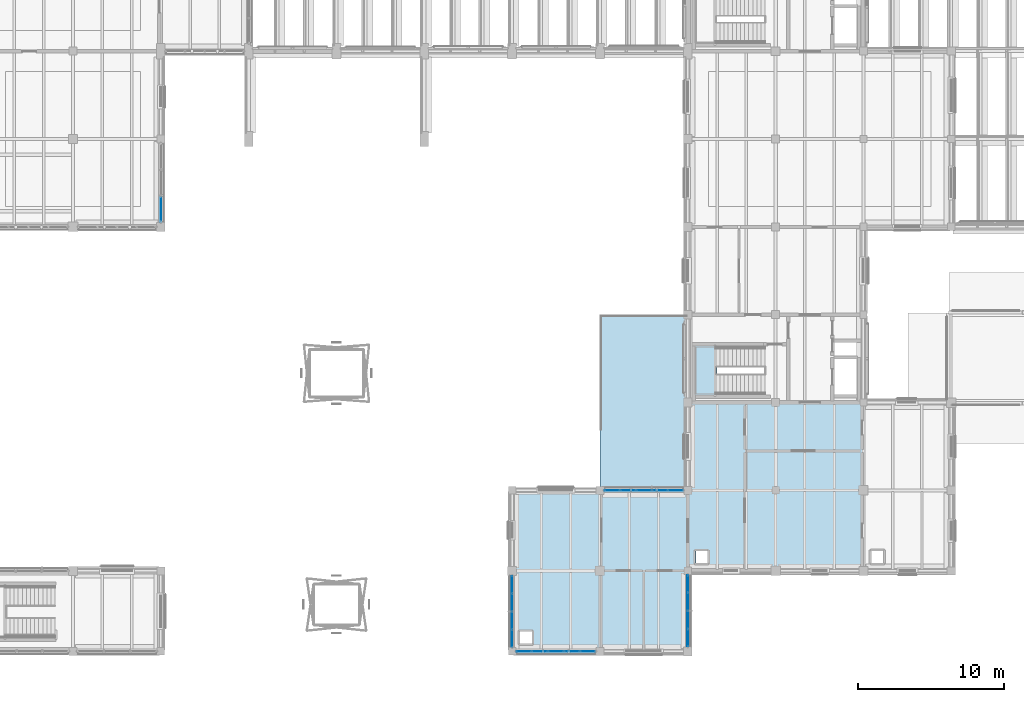
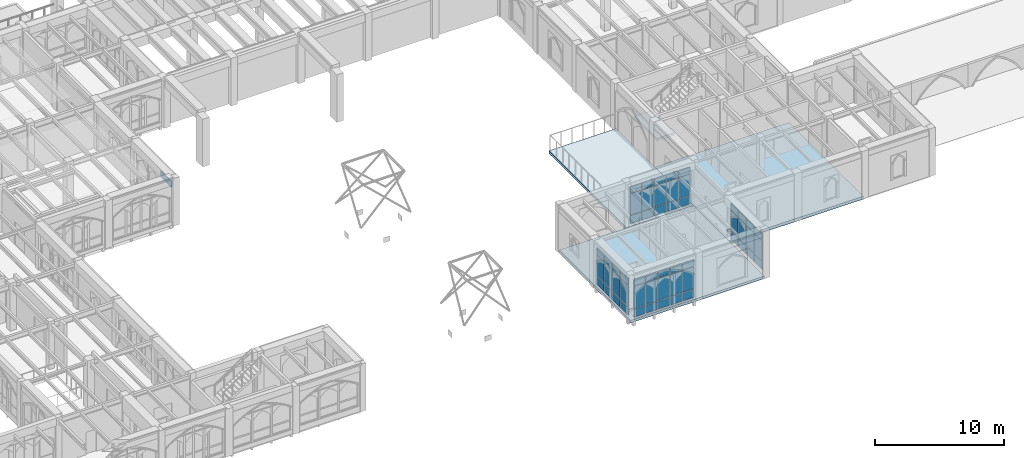
# One storey, part 71 of 127: 55 plates, 4 slabs, 6 elements without a shape of their own.
"""IFC4 building model written with IfcOpenShell, lengths in metres."""

from ifc_helpers import new_model, si_unit, direction, frame, origin, origin_2d, place, context, subcontext, project, spatial, polyline, rectangle, outline, extrude, material, layer, layer_set, type_object, element, aggregate, save


model = new_model("IFC4")

# Units and contexts
model_context = context("Model", 3, precision=1e-05, world=origin(), true_north=direction((0.0, 1.0)))
body_context = subcontext(model_context, "Body", "Model", "MODEL_VIEW")
ifc_project = project(units=[si_unit("LENGTHUNIT", "METRE"), si_unit("AREAUNIT", "SQUARE_METRE"), si_unit("VOLUMEUNIT", "CUBIC_METRE"), si_unit("PLANEANGLEUNIT", "RADIAN"), si_unit("MASSUNIT", "GRAM", prefix="KILO")], contexts=[model_context])

# Site, building, storey
site_placement = place(None, origin())
site = spatial("IfcSite", under=ifc_project, at=site_placement, CompositionType="ELEMENT")
building_placement = place(site_placement, origin())
building = spatial("IfcBuilding", under=site, at=building_placement, Name="Cumevento Cable Car Station", CompositionType="ELEMENT")
storey_placement = place(building_placement, frame((0.0, 0.0, 4.5)))
storey = spatial("IfcBuildingStorey", under=building, at=storey_placement, Name="L02", CompositionType="ELEMENT", Elevation=4.5)

# Slabs
ifc_material_1 = material(Name="Concrete C40/50", Category="concrete")
ifc_layer_1 = layer(ifc_material_1, 0.236083984375)
ifc_layer_set_1 = layer_set([ifc_layer_1], Name="Concrete C40/50")
slab_type_1 = type_object("IfcSlabType", Name="Concrete Deck FS-236 236", PredefinedType="FLOOR", material=ifc_layer_set_1)
slab_1_placement = place(storey_placement, frame((0.0, 0.0, -0.236083984375)))
element("IfcSlab", 1, at=slab_1_placement, inside=storey, type_object=slab_type_1, Name="Floor Slab FS-236 L02 B_V2a.1", PredefinedType="FLOOR", context=body_context, shape_type="SweptSolid", body=[
    extrude(outline(polyline([(106.0, 4.0), (118.0, 4.0), (118.0, 15.0), (106.0, 15.0), (106.0, 4.0)]), holes=[polyline([(106.550048828125, 4.550048828125), (107.35009765625, 4.550048828125), (107.35009765625, 5.35009765625), (106.550048828125, 5.35009765625), (106.550048828125, 4.550048828125)])]), origin(), (0.0, 0.0, 1.0), 0.236083984375),
])
ifc_material_2 = material(Name="Concrete C40/50", Category="concrete")
ifc_layer_2 = layer(ifc_material_2, 0.27197265625)
ifc_layer_set_2 = layer_set([ifc_layer_2], Name="Concrete C40/50")
slab_type_2 = type_object("IfcSlabType", Name="Concrete Deck FS-272 272", PredefinedType="FLOOR", material=ifc_layer_set_2)
slab_2_placement = place(storey_placement, frame((0.0, 0.0, -0.27197265625)))
element("IfcSlab", 2, at=slab_2_placement, inside=storey, type_object=slab_type_2, Name="Floor Slab FS-272 L02 B_V4a.1", PredefinedType="FLOOR", context=body_context, shape_type="SweptSolid", body=[
    extrude(outline(polyline([(118.0, 9.5), (130.0, 9.5), (130.0, 21.0), (118.0, 21.0), (118.0, 9.5)]), holes=[polyline([(118.550048828125, 10.050048828125), (119.35009765625, 10.050048828125), (119.35009765625, 10.85009765625), (118.550048828125, 10.85009765625), (118.550048828125, 10.050048828125)])]), origin(), (0.0, 0.0, 1.0), 0.27197265625),
])

# Curtain wall, plate
ifc_material_3 = material(Name="Anodised Bronze Aluminium AW-6063-T6", Category="aluminium")
ifc_layer_3 = layer(ifc_material_3, 0.238037109375)
ifc_layer_set_3 = layer_set([ifc_layer_3], Name="Anodised Bronze Aluminium AW-6063-T6")
curtain_wall_type_1 = type_object("IfcCurtainWallType", Name="Lancet Curtain Wall CW-14 1570", PredefinedType="NOTDEFINED", material=ifc_layer_set_3)
curtain_wall_1_placement = place(storey_placement, origin())
curtain_wall_1 = element("IfcCurtainWall", 3, at=curtain_wall_1_placement, inside=storey, type_object=curtain_wall_type_1, Name="Lancet Curtain Wall CW-14 L02 #45", PredefinedType="NOTDEFINED")
ifc_material_4 = material(Name="Solar Control Laminated Double Glazing", Category="glass")
ifc_layer_4 = layer(ifc_material_4, 0.033935546875)
ifc_layer_set_4 = layer_set([ifc_layer_4], Name="Solar Control Laminated Double Glazing")
plate_type_1 = type_object("IfcPlateType", Name="Glazed Panel CWP-04 34", PredefinedType="CURTAIN_PANEL", material=ifc_layer_set_4)
plate_1_placement = place(storey_placement, frame((82.0, 34.220458984375, 3.153564453125), z_axis=(0.0, 0.0, 1.0), x_axis=(0.0, -1.0, 0.0)))
plate_1 = element("IfcPlate", 4, at=plate_1_placement, type_object=plate_type_1, Name="CW-14 panel 3.3", PredefinedType="CURTAIN_PANEL", context=body_context, shape_type="SweptSolid", body=[
    extrude(rectangle(XDim=1.7109375, YDim=0.033935546875, at=origin_2d()), origin(), (0.0, 0.0, 1.0), 0.6025390625),
])
aggregate(curtain_wall_1, [plate_1])

# Curtain wall, plates
ifc_material_5 = material(Name="Anodised Bronze Aluminium AW-6063-T6", Category="aluminium")
ifc_layer_5 = layer(ifc_material_5, 0.159912109375)
ifc_layer_set_5 = layer_set([ifc_layer_5], Name="Anodised Bronze Aluminium AW-6063-T6")
curtain_wall_type_2 = type_object("IfcCurtainWallType", Name="Lancet Curtain Wall CW-01 1050", PredefinedType="NOTDEFINED", material=ifc_layer_set_5)
curtain_wall_2_placement = place(storey_placement, origin())
curtain_wall_2 = element("IfcCurtainWall", 5, at=curtain_wall_2_placement, inside=storey, type_object=curtain_wall_type_2, Name="Lancet Curtain Wall CW-01 L02 #32", PredefinedType="NOTDEFINED")
ifc_material_6 = material(Name="Solar Control Laminated Double Glazing", Category="glass")
ifc_layer_6 = layer(ifc_material_6, 0.0380859375)
ifc_layer_set_6 = layer_set([ifc_layer_6], Name="Solar Control Laminated Double Glazing")
plate_type_2 = type_object("IfcPlateType", Name="Glazed Panel CWP-05 38", PredefinedType="CURTAIN_PANEL", material=ifc_layer_set_6)
plate_2_placement = place(storey_placement, frame((111.1611328125, 4.0, 0.22509765625), z_axis=(0.0, 0.0, 1.0), x_axis=(-1.0, 0.0, 0.0)))
plate_2 = element("IfcPlate", 6, at=plate_2_placement, type_object=plate_type_2, Name="CW-01 panel 1.1", PredefinedType="CURTAIN_PANEL", context=body_context, shape_type="SweptSolid", body=[
    extrude(rectangle(XDim=0.99755859375, YDim=0.0380859375, at=origin_2d()), origin(), (0.0, 0.0, 1.0), 0.75244140625),
])
plate_3_placement = place(storey_placement, frame((111.1611328125, 4.0, 1.04248046875), z_axis=(0.0, 0.0, 1.0), x_axis=(-1.0, 0.0, 0.0)))
plate_3 = element("IfcPlate", 7, at=plate_3_placement, type_object=plate_type_2, Name="CW-01 panel 1.2", PredefinedType="CURTAIN_PANEL", context=body_context, shape_type="SweptSolid", body=[
    extrude(rectangle(XDim=0.99755859375, YDim=0.0380859375, at=origin_2d()), origin(), (0.0, 0.0, 1.0), 2.068115234375),
])
plate_4_placement = place(storey_placement, frame((111.1611328125, 4.0, 3.175537109375), z_axis=(0.0, 0.0, 1.0), x_axis=(-1.0, 0.0, 0.0)))
plate_4 = element("IfcPlate", 8, at=plate_4_placement, type_object=plate_type_2, Name="CW-01 panel 1.3", PredefinedType="CURTAIN_PANEL", context=body_context, shape_type="SweptSolid", body=[
    extrude(rectangle(XDim=0.99755859375, YDim=0.0380859375, at=origin_2d()), origin(), (0.0, 0.0, 1.0), 0.6025390625),
])
plate_5_placement = place(storey_placement, frame((110.08251953125, 4.0, 0.22509765625), z_axis=(0.0, 0.0, 1.0), x_axis=(-1.0, 0.0, 0.0)))
plate_5 = element("IfcPlate", 9, at=plate_5_placement, type_object=plate_type_2, Name="CW-01 panel 2.1", PredefinedType="CURTAIN_PANEL", context=body_context, shape_type="SweptSolid", body=[
    extrude(rectangle(XDim=1.030029296875, YDim=0.0380859375, at=origin_2d()), origin(), (0.0, 0.0, 1.0), 0.75244140625),
])
plate_6_placement = place(storey_placement, frame((110.08251953125, 4.0, 1.04248046875), z_axis=(0.0, 0.0, 1.0), x_axis=(-1.0, 0.0, 0.0)))
plate_6 = element("IfcPlate", 10, at=plate_6_placement, type_object=plate_type_2, Name="CW-01 panel 2.2", PredefinedType="CURTAIN_PANEL", context=body_context, shape_type="SweptSolid", body=[
    extrude(rectangle(XDim=1.030029296875, YDim=0.0380859375, at=origin_2d()), origin(), (0.0, 0.0, 1.0), 2.068115234375),
])
plate_7_placement = place(storey_placement, frame((110.08251953125, 4.0, 3.175537109375), z_axis=(0.0, 0.0, 1.0), x_axis=(-1.0, 0.0, 0.0)))
plate_7 = element("IfcPlate", 11, at=plate_7_placement, type_object=plate_type_2, Name="CW-01 panel 2.3", PredefinedType="CURTAIN_PANEL", context=body_context, shape_type="SweptSolid", body=[
    extrude(rectangle(XDim=1.030029296875, YDim=0.0380859375, at=origin_2d()), origin(), (0.0, 0.0, 1.0), 0.6025390625),
])
plate_8_placement = place(storey_placement, frame((108.987548828125, 4.0, 0.22509765625), z_axis=(0.0, 0.0, 1.0), x_axis=(-1.0, 0.0, 0.0)))
plate_8 = element("IfcPlate", 12, at=plate_8_placement, type_object=plate_type_2, Name="CW-01 panel 3.1", PredefinedType="CURTAIN_PANEL", context=body_context, shape_type="SweptSolid", body=[
    extrude(rectangle(XDim=1.030029296875, YDim=0.0380859375, at=origin_2d()), origin(), (0.0, 0.0, 1.0), 0.75244140625),
])
plate_9_placement = place(storey_placement, frame((108.987548828125, 4.0, 1.04248046875), z_axis=(0.0, 0.0, 1.0), x_axis=(-1.0, 0.0, 0.0)))
plate_9 = element("IfcPlate", 13, at=plate_9_placement, type_object=plate_type_2, Name="CW-01 panel 3.2", PredefinedType="CURTAIN_PANEL", context=body_context, shape_type="SweptSolid", body=[
    extrude(rectangle(XDim=1.030029296875, YDim=0.0380859375, at=origin_2d()), origin(), (0.0, 0.0, 1.0), 2.068115234375),
])
plate_10_placement = place(storey_placement, frame((108.987548828125, 4.0, 3.175537109375), z_axis=(0.0, 0.0, 1.0), x_axis=(-1.0, 0.0, 0.0)))
plate_10 = element("IfcPlate", 14, at=plate_10_placement, type_object=plate_type_2, Name="CW-01 panel 3.3", PredefinedType="CURTAIN_PANEL", context=body_context, shape_type="SweptSolid", body=[
    extrude(rectangle(XDim=1.030029296875, YDim=0.0380859375, at=origin_2d()), origin(), (0.0, 0.0, 1.0), 0.6025390625),
])
plate_11_placement = place(storey_placement, frame((107.892578125, 4.0, 0.22509765625), z_axis=(0.0, 0.0, 1.0), x_axis=(-1.0, 0.0, 0.0)))
plate_11 = element("IfcPlate", 15, at=plate_11_placement, type_object=plate_type_2, Name="CW-01 panel 4.1", PredefinedType="CURTAIN_PANEL", context=body_context, shape_type="SweptSolid", body=[
    extrude(rectangle(XDim=1.030029296875, YDim=0.0380859375, at=origin_2d()), origin(), (0.0, 0.0, 1.0), 0.75244140625),
])
plate_12_placement = place(storey_placement, frame((107.892578125, 4.0, 1.04248046875), z_axis=(0.0, 0.0, 1.0), x_axis=(-1.0, 0.0, 0.0)))
plate_12 = element("IfcPlate", 16, at=plate_12_placement, type_object=plate_type_2, Name="CW-01 panel 4.2", PredefinedType="CURTAIN_PANEL", context=body_context, shape_type="SweptSolid", body=[
    extrude(rectangle(XDim=1.030029296875, YDim=0.0380859375, at=origin_2d()), origin(), (0.0, 0.0, 1.0), 2.068115234375),
])
plate_13_placement = place(storey_placement, frame((107.892578125, 4.0, 3.175537109375), z_axis=(0.0, 0.0, 1.0), x_axis=(-1.0, 0.0, 0.0)))
plate_13 = element("IfcPlate", 17, at=plate_13_placement, type_object=plate_type_2, Name="CW-01 panel 4.3", PredefinedType="CURTAIN_PANEL", context=body_context, shape_type="SweptSolid", body=[
    extrude(rectangle(XDim=1.030029296875, YDim=0.0380859375, at=origin_2d()), origin(), (0.0, 0.0, 1.0), 0.6025390625),
])
plate_14_placement = place(storey_placement, frame((106.813720703125, 4.0, 0.22509765625), z_axis=(0.0, 0.0, 1.0), x_axis=(-1.0, 0.0, 0.0)))
plate_14 = element("IfcPlate", 18, at=plate_14_placement, type_object=plate_type_2, Name="CW-01 panel 5.1", PredefinedType="CURTAIN_PANEL", context=body_context, shape_type="SweptSolid", body=[
    extrude(rectangle(XDim=0.99755859375, YDim=0.0380859375, at=origin_2d()), origin(), (0.0, 0.0, 1.0), 0.75244140625),
])
plate_15_placement = place(storey_placement, frame((106.813720703125, 4.0, 1.04248046875), z_axis=(0.0, 0.0, 1.0), x_axis=(-1.0, 0.0, 0.0)))
plate_15 = element("IfcPlate", 19, at=plate_15_placement, type_object=plate_type_2, Name="CW-01 panel 5.2", PredefinedType="CURTAIN_PANEL", context=body_context, shape_type="SweptSolid", body=[
    extrude(rectangle(XDim=0.99755859375, YDim=0.0380859375, at=origin_2d()), origin(), (0.0, 0.0, 1.0), 2.068115234375),
])
plate_16_placement = place(storey_placement, frame((106.813720703125, 4.0, 3.175537109375), z_axis=(0.0, 0.0, 1.0), x_axis=(-1.0, 0.0, 0.0)))
plate_16 = element("IfcPlate", 20, at=plate_16_placement, type_object=plate_type_2, Name="CW-01 panel 5.3", PredefinedType="CURTAIN_PANEL", context=body_context, shape_type="SweptSolid", body=[
    extrude(rectangle(XDim=0.99755859375, YDim=0.0380859375, at=origin_2d()), origin(), (0.0, 0.0, 1.0), 0.6025390625),
])
aggregate(curtain_wall_2, [plate_2, plate_3, plate_4, plate_5, plate_6, plate_7, plate_8, plate_9, plate_10, plate_11, plate_12, plate_13, plate_14, plate_15, plate_16])

ifc_material_7 = material(Name="Anodised Bronze Aluminium AW-6063-T6", Category="aluminium")
ifc_layer_7 = layer(ifc_material_7, 0.166015625)
ifc_layer_set_7 = layer_set([ifc_layer_7], Name="Anodised Bronze Aluminium AW-6063-T6")
curtain_wall_type_3 = type_object("IfcCurtainWallType", Name="Lancet Curtain Wall CW-02 1090", PredefinedType="NOTDEFINED", material=ifc_layer_set_7)
curtain_wall_3_placement = place(storey_placement, origin())
curtain_wall_3 = element("IfcCurtainWall", 21, at=curtain_wall_3_placement, inside=storey, type_object=curtain_wall_type_3, Name="Lancet Curtain Wall CW-02 L02 #33", PredefinedType="NOTDEFINED")
ifc_material_8 = material(Name="Solar Control Laminated Double Glazing", Category="glass")
ifc_layer_8 = layer(ifc_material_8, 0.0419921875)
ifc_layer_set_8 = layer_set([ifc_layer_8], Name="Solar Control Laminated Double Glazing")
plate_type_3 = type_object("IfcPlateType", Name="Glazed Panel CWP-06 42", PredefinedType="CURTAIN_PANEL", material=ifc_layer_set_8)
plate_17_placement = place(storey_placement, frame((112.836181640625, 15.0, 0.275146484375), z_axis=(0.0, 0.0, 1.0), x_axis=(1.0, 0.0, 0.0)))
plate_17 = element("IfcPlate", 22, at=plate_17_placement, type_object=plate_type_3, Name="CW-02 panel 1.1", PredefinedType="CURTAIN_PANEL", context=body_context, shape_type="SweptSolid", body=[
    extrude(rectangle(XDim=0.992431640625, YDim=0.0419921875, at=origin_2d()), origin(), (0.0, 0.0, 1.0), 0.75244140625),
])
plate_18_placement = place(storey_placement, frame((112.836181640625, 15.0, 1.092529296875), z_axis=(0.0, 0.0, 1.0), x_axis=(1.0, 0.0, 0.0)))
plate_18 = element("IfcPlate", 23, at=plate_18_placement, type_object=plate_type_3, Name="CW-02 panel 1.2", PredefinedType="CURTAIN_PANEL", context=body_context, shape_type="SweptSolid", body=[
    extrude(rectangle(XDim=0.992431640625, YDim=0.0419921875, at=origin_2d()), origin(), (0.0, 0.0, 1.0), 1.98388671875),
])
plate_19_placement = place(storey_placement, frame((112.836181640625, 15.0, 3.1416015625), z_axis=(0.0, 0.0, 1.0), x_axis=(1.0, 0.0, 0.0)))
plate_19 = element("IfcPlate", 24, at=plate_19_placement, type_object=plate_type_3, Name="CW-02 panel 1.3", PredefinedType="CURTAIN_PANEL", context=body_context, shape_type="SweptSolid", body=[
    extrude(rectangle(XDim=0.992431640625, YDim=0.0419921875, at=origin_2d()), origin(), (0.0, 0.0, 1.0), 0.6025390625),
])
plate_20_placement = place(storey_placement, frame((113.909912109375, 15.0, 0.275146484375), z_axis=(0.0, 0.0, 1.0), x_axis=(1.0, 0.0, 0.0)))
plate_20 = element("IfcPlate", 25, at=plate_20_placement, type_object=plate_type_3, Name="CW-02 panel 2.1", PredefinedType="CURTAIN_PANEL", context=body_context, shape_type="SweptSolid", body=[
    extrude(rectangle(XDim=1.02490234375, YDim=0.0419921875, at=origin_2d()), origin(), (0.0, 0.0, 1.0), 0.75244140625),
])
plate_21_placement = place(storey_placement, frame((113.909912109375, 15.0, 1.092529296875), z_axis=(0.0, 0.0, 1.0), x_axis=(1.0, 0.0, 0.0)))
plate_21 = element("IfcPlate", 26, at=plate_21_placement, type_object=plate_type_3, Name="CW-02 panel 2.2", PredefinedType="CURTAIN_PANEL", context=body_context, shape_type="SweptSolid", body=[
    extrude(rectangle(XDim=1.02490234375, YDim=0.0419921875, at=origin_2d()), origin(), (0.0, 0.0, 1.0), 1.98388671875),
])
plate_22_placement = place(storey_placement, frame((113.909912109375, 15.0, 3.1416015625), z_axis=(0.0, 0.0, 1.0), x_axis=(1.0, 0.0, 0.0)))
plate_22 = element("IfcPlate", 27, at=plate_22_placement, type_object=plate_type_3, Name="CW-02 panel 2.3", PredefinedType="CURTAIN_PANEL", context=body_context, shape_type="SweptSolid", body=[
    extrude(rectangle(XDim=1.02490234375, YDim=0.0419921875, at=origin_2d()), origin(), (0.0, 0.0, 1.0), 0.6025390625),
])
plate_23_placement = place(storey_placement, frame((115.0, 15.0, 0.275146484375), z_axis=(0.0, 0.0, 1.0), x_axis=(1.0, 0.0, 0.0)))
plate_23 = element("IfcPlate", 28, at=plate_23_placement, type_object=plate_type_3, Name="CW-02 panel 3.1", PredefinedType="CURTAIN_PANEL", context=body_context, shape_type="SweptSolid", body=[
    extrude(rectangle(XDim=1.02490234375, YDim=0.0419921875, at=origin_2d()), origin(), (0.0, 0.0, 1.0), 0.75244140625),
])
plate_24_placement = place(storey_placement, frame((115.0, 15.0, 1.092529296875), z_axis=(0.0, 0.0, 1.0), x_axis=(1.0, 0.0, 0.0)))
plate_24 = element("IfcPlate", 29, at=plate_24_placement, type_object=plate_type_3, Name="CW-02 panel 3.2", PredefinedType="CURTAIN_PANEL", context=body_context, shape_type="SweptSolid", body=[
    extrude(rectangle(XDim=1.02490234375, YDim=0.0419921875, at=origin_2d()), origin(), (0.0, 0.0, 1.0), 1.98388671875),
])
plate_25_placement = place(storey_placement, frame((115.0, 15.0, 3.1416015625), z_axis=(0.0, 0.0, 1.0), x_axis=(1.0, 0.0, 0.0)))
plate_25 = element("IfcPlate", 30, at=plate_25_placement, type_object=plate_type_3, Name="CW-02 panel 3.3", PredefinedType="CURTAIN_PANEL", context=body_context, shape_type="SweptSolid", body=[
    extrude(rectangle(XDim=1.02490234375, YDim=0.0419921875, at=origin_2d()), origin(), (0.0, 0.0, 1.0), 0.6025390625),
])
plate_26_placement = place(storey_placement, frame((116.090087890625, 15.0, 0.275146484375), z_axis=(0.0, 0.0, 1.0), x_axis=(1.0, 0.0, 0.0)))
plate_26 = element("IfcPlate", 31, at=plate_26_placement, type_object=plate_type_3, Name="CW-02 panel 4.1", PredefinedType="CURTAIN_PANEL", context=body_context, shape_type="SweptSolid", body=[
    extrude(rectangle(XDim=1.02490234375, YDim=0.0419921875, at=origin_2d()), origin(), (0.0, 0.0, 1.0), 0.75244140625),
])
plate_27_placement = place(storey_placement, frame((116.090087890625, 15.0, 1.092529296875), z_axis=(0.0, 0.0, 1.0), x_axis=(1.0, 0.0, 0.0)))
plate_27 = element("IfcPlate", 32, at=plate_27_placement, type_object=plate_type_3, Name="CW-02 panel 4.2", PredefinedType="CURTAIN_PANEL", context=body_context, shape_type="SweptSolid", body=[
    extrude(rectangle(XDim=1.02490234375, YDim=0.0419921875, at=origin_2d()), origin(), (0.0, 0.0, 1.0), 1.98388671875),
])
plate_28_placement = place(storey_placement, frame((116.090087890625, 15.0, 3.1416015625), z_axis=(0.0, 0.0, 1.0), x_axis=(1.0, 0.0, 0.0)))
plate_28 = element("IfcPlate", 33, at=plate_28_placement, type_object=plate_type_3, Name="CW-02 panel 4.3", PredefinedType="CURTAIN_PANEL", context=body_context, shape_type="SweptSolid", body=[
    extrude(rectangle(XDim=1.02490234375, YDim=0.0419921875, at=origin_2d()), origin(), (0.0, 0.0, 1.0), 0.6025390625),
])
plate_29_placement = place(storey_placement, frame((117.163818359375, 15.0, 0.275146484375), z_axis=(0.0, 0.0, 1.0), x_axis=(1.0, 0.0, 0.0)))
plate_29 = element("IfcPlate", 34, at=plate_29_placement, type_object=plate_type_3, Name="CW-02 panel 5.1", PredefinedType="CURTAIN_PANEL", context=body_context, shape_type="SweptSolid", body=[
    extrude(rectangle(XDim=0.992431640625, YDim=0.0419921875, at=origin_2d()), origin(), (0.0, 0.0, 1.0), 0.75244140625),
])
plate_30_placement = place(storey_placement, frame((117.163818359375, 15.0, 1.092529296875), z_axis=(0.0, 0.0, 1.0), x_axis=(1.0, 0.0, 0.0)))
plate_30 = element("IfcPlate", 35, at=plate_30_placement, type_object=plate_type_3, Name="CW-02 panel 5.2", PredefinedType="CURTAIN_PANEL", context=body_context, shape_type="SweptSolid", body=[
    extrude(rectangle(XDim=0.992431640625, YDim=0.0419921875, at=origin_2d()), origin(), (0.0, 0.0, 1.0), 1.98388671875),
])
plate_31_placement = place(storey_placement, frame((117.163818359375, 15.0, 3.1416015625), z_axis=(0.0, 0.0, 1.0), x_axis=(1.0, 0.0, 0.0)))
plate_31 = element("IfcPlate", 36, at=plate_31_placement, type_object=plate_type_3, Name="CW-02 panel 5.3", PredefinedType="CURTAIN_PANEL", context=body_context, shape_type="SweptSolid", body=[
    extrude(rectangle(XDim=0.992431640625, YDim=0.0419921875, at=origin_2d()), origin(), (0.0, 0.0, 1.0), 0.6025390625),
])
aggregate(curtain_wall_3, [plate_17, plate_18, plate_19, plate_20, plate_21, plate_22, plate_23, plate_24, plate_25, plate_26, plate_27, plate_28, plate_29, plate_30, plate_31])

ifc_material_9 = material(Name="Anodised Bronze Aluminium AW-6063-T6", Category="aluminium")
ifc_layer_9 = layer(ifc_material_9, 0.172119140625)
ifc_layer_set_9 = layer_set([ifc_layer_9], Name="Anodised Bronze Aluminium AW-6063-T6")
curtain_wall_type_4 = type_object("IfcCurtainWallType", Name="Lancet Curtain Wall CW-03 1130", PredefinedType="NOTDEFINED", material=ifc_layer_set_9)
curtain_wall_4_placement = place(storey_placement, origin())
curtain_wall_4 = element("IfcCurtainWall", 37, at=curtain_wall_4_placement, inside=storey, type_object=curtain_wall_type_4, Name="Lancet Curtain Wall CW-03 L02 #34", PredefinedType="NOTDEFINED")
ifc_material_10 = material(Name="Solar Control Laminated Double Glazing", Category="glass")
ifc_layer_10 = layer(ifc_material_10, 0.0458984375)
ifc_layer_set_10 = layer_set([ifc_layer_10], Name="Solar Control Laminated Double Glazing")
plate_type_4 = type_object("IfcPlateType", Name="Glazed Panel CWP-07 46", PredefinedType="CURTAIN_PANEL", material=ifc_layer_set_10)
plate_32_placement = place(storey_placement, frame((106.0, 4.885009765625, 0.324951171875), z_axis=(0.0, 0.0, 1.0), x_axis=(0.0, 1.0, 0.0)))
plate_32 = element("IfcPlate", 38, at=plate_32_placement, type_object=plate_type_4, Name="CW-03 panel 1.1", PredefinedType="CURTAIN_PANEL", context=body_context, shape_type="SweptSolid", body=[
    extrude(rectangle(XDim=1.139892578125, YDim=0.0458984375, at=origin_2d()), origin(), (0.0, 0.0, 1.0), 0.75244140625),
])
plate_33_placement = place(storey_placement, frame((106.0, 4.885009765625, 1.142578125), z_axis=(0.0, 0.0, 1.0), x_axis=(0.0, 1.0, 0.0)))
plate_33 = element("IfcPlate", 39, at=plate_33_placement, type_object=plate_type_4, Name="CW-03 panel 1.2", PredefinedType="CURTAIN_PANEL", context=body_context, shape_type="SweptSolid", body=[
    extrude(rectangle(XDim=1.139892578125, YDim=0.0458984375, at=origin_2d()), origin(), (0.0, 0.0, 1.0), 1.968017578125),
])
plate_34_placement = place(storey_placement, frame((106.0, 4.885009765625, 3.175537109375), z_axis=(0.0, 0.0, 1.0), x_axis=(0.0, 1.0, 0.0)))
plate_34 = element("IfcPlate", 40, at=plate_34_placement, type_object=plate_type_4, Name="CW-03 panel 1.3", PredefinedType="CURTAIN_PANEL", context=body_context, shape_type="SweptSolid", body=[
    extrude(rectangle(XDim=1.139892578125, YDim=0.0458984375, at=origin_2d()), origin(), (0.0, 0.0, 1.0), 0.6025390625),
])
plate_35_placement = place(storey_placement, frame((106.0, 6.106201171875, 0.324951171875), z_axis=(0.0, 0.0, 1.0), x_axis=(0.0, 1.0, 0.0)))
plate_35 = element("IfcPlate", 41, at=plate_35_placement, type_object=plate_type_4, Name="CW-03 panel 2.1", PredefinedType="CURTAIN_PANEL", context=body_context, shape_type="SweptSolid", body=[
    extrude(rectangle(XDim=1.172607421875, YDim=0.0458984375, at=origin_2d()), origin(), (0.0, 0.0, 1.0), 0.75244140625),
])
plate_36_placement = place(storey_placement, frame((106.0, 6.106201171875, 1.142578125), z_axis=(0.0, 0.0, 1.0), x_axis=(0.0, 1.0, 0.0)))
plate_36 = element("IfcPlate", 42, at=plate_36_placement, type_object=plate_type_4, Name="CW-03 panel 2.2", PredefinedType="CURTAIN_PANEL", context=body_context, shape_type="SweptSolid", body=[
    extrude(rectangle(XDim=1.172607421875, YDim=0.0458984375, at=origin_2d()), origin(), (0.0, 0.0, 1.0), 1.968017578125),
])
plate_37_placement = place(storey_placement, frame((106.0, 6.106201171875, 3.175537109375), z_axis=(0.0, 0.0, 1.0), x_axis=(0.0, 1.0, 0.0)))
plate_37 = element("IfcPlate", 43, at=plate_37_placement, type_object=plate_type_4, Name="CW-03 panel 2.3", PredefinedType="CURTAIN_PANEL", context=body_context, shape_type="SweptSolid", body=[
    extrude(rectangle(XDim=1.172607421875, YDim=0.0458984375, at=origin_2d()), origin(), (0.0, 0.0, 1.0), 0.6025390625),
])
plate_38_placement = place(storey_placement, frame((106.0, 7.34375, 0.324951171875), z_axis=(0.0, 0.0, 1.0), x_axis=(0.0, 1.0, 0.0)))
plate_38 = element("IfcPlate", 44, at=plate_38_placement, type_object=plate_type_4, Name="CW-03 panel 3.1", PredefinedType="CURTAIN_PANEL", context=body_context, shape_type="SweptSolid", body=[
    extrude(rectangle(XDim=1.172607421875, YDim=0.0458984375, at=origin_2d()), origin(), (0.0, 0.0, 1.0), 0.75244140625),
])
plate_39_placement = place(storey_placement, frame((106.0, 7.34375, 1.142578125), z_axis=(0.0, 0.0, 1.0), x_axis=(0.0, 1.0, 0.0)))
plate_39 = element("IfcPlate", 45, at=plate_39_placement, type_object=plate_type_4, Name="CW-03 panel 3.2", PredefinedType="CURTAIN_PANEL", context=body_context, shape_type="SweptSolid", body=[
    extrude(rectangle(XDim=1.172607421875, YDim=0.0458984375, at=origin_2d()), origin(), (0.0, 0.0, 1.0), 1.968017578125),
])
plate_40_placement = place(storey_placement, frame((106.0, 7.34375, 3.175537109375), z_axis=(0.0, 0.0, 1.0), x_axis=(0.0, 1.0, 0.0)))
plate_40 = element("IfcPlate", 46, at=plate_40_placement, type_object=plate_type_4, Name="CW-03 panel 3.3", PredefinedType="CURTAIN_PANEL", context=body_context, shape_type="SweptSolid", body=[
    extrude(rectangle(XDim=1.172607421875, YDim=0.0458984375, at=origin_2d()), origin(), (0.0, 0.0, 1.0), 0.6025390625),
])
plate_41_placement = place(storey_placement, frame((106.0, 8.56494140625, 0.324951171875), z_axis=(0.0, 0.0, 1.0), x_axis=(0.0, 1.0, 0.0)))
plate_41 = element("IfcPlate", 47, at=plate_41_placement, type_object=plate_type_4, Name="CW-03 panel 4.1", PredefinedType="CURTAIN_PANEL", context=body_context, shape_type="SweptSolid", body=[
    extrude(rectangle(XDim=1.139892578125, YDim=0.0458984375, at=origin_2d()), origin(), (0.0, 0.0, 1.0), 0.75244140625),
])
plate_42_placement = place(storey_placement, frame((106.0, 8.56494140625, 1.142578125), z_axis=(0.0, 0.0, 1.0), x_axis=(0.0, 1.0, 0.0)))
plate_42 = element("IfcPlate", 48, at=plate_42_placement, type_object=plate_type_4, Name="CW-03 panel 4.2", PredefinedType="CURTAIN_PANEL", context=body_context, shape_type="SweptSolid", body=[
    extrude(rectangle(XDim=1.139892578125, YDim=0.0458984375, at=origin_2d()), origin(), (0.0, 0.0, 1.0), 1.968017578125),
])
plate_43_placement = place(storey_placement, frame((106.0, 8.56494140625, 3.175537109375), z_axis=(0.0, 0.0, 1.0), x_axis=(0.0, 1.0, 0.0)))
plate_43 = element("IfcPlate", 49, at=plate_43_placement, type_object=plate_type_4, Name="CW-03 panel 4.3", PredefinedType="CURTAIN_PANEL", context=body_context, shape_type="SweptSolid", body=[
    extrude(rectangle(XDim=1.139892578125, YDim=0.0458984375, at=origin_2d()), origin(), (0.0, 0.0, 1.0), 0.6025390625),
])
aggregate(curtain_wall_4, [plate_32, plate_33, plate_34, plate_35, plate_36, plate_37, plate_38, plate_39, plate_40, plate_41, plate_42, plate_43])

ifc_material_11 = material(Name="Anodised Bronze Aluminium AW-6063-T6", Category="aluminium")
ifc_layer_11 = layer(ifc_material_11, 0.177978515625)
ifc_layer_set_11 = layer_set([ifc_layer_11], Name="Anodised Bronze Aluminium AW-6063-T6")
curtain_wall_type_5 = type_object("IfcCurtainWallType", Name="Lancet Curtain Wall CW-04 1170", PredefinedType="NOTDEFINED", material=ifc_layer_set_11)
curtain_wall_5_placement = place(storey_placement, origin())
curtain_wall_5 = element("IfcCurtainWall", 50, at=curtain_wall_5_placement, inside=storey, type_object=curtain_wall_type_5, Name="Lancet Curtain Wall CW-04 L02 #35", PredefinedType="NOTDEFINED")
ifc_material_12 = material(Name="Solar Control Laminated Double Glazing", Category="glass")
ifc_layer_12 = layer(ifc_material_12, 0.050048828125)
ifc_layer_set_12 = layer_set([ifc_layer_12], Name="Solar Control Laminated Double Glazing")
plate_type_5 = type_object("IfcPlateType", Name="Glazed Panel CWP-08 50", PredefinedType="CURTAIN_PANEL", material=ifc_layer_set_12)
plate_44_placement = place(storey_placement, frame((118.0, 8.614990234375, 0.375), z_axis=(0.0, 0.0, 1.0), x_axis=(0.0, -1.0, 0.0)))
plate_44 = element("IfcPlate", 51, at=plate_44_placement, type_object=plate_type_5, Name="CW-04 panel 1.1", PredefinedType="CURTAIN_PANEL", context=body_context, shape_type="SweptSolid", body=[
    extrude(rectangle(XDim=1.139892578125, YDim=0.050048828125, at=origin_2d()), origin(), (0.0, 0.0, 1.0), 0.75244140625),
])
plate_45_placement = place(storey_placement, frame((118.0, 8.614990234375, 1.1923828125), z_axis=(0.0, 0.0, 1.0), x_axis=(0.0, -1.0, 0.0)))
plate_45 = element("IfcPlate", 52, at=plate_45_placement, type_object=plate_type_5, Name="CW-04 panel 1.2", PredefinedType="CURTAIN_PANEL", context=body_context, shape_type="SweptSolid", body=[
    extrude(rectangle(XDim=1.139892578125, YDim=0.050048828125, at=origin_2d()), origin(), (0.0, 0.0, 1.0), 1.884033203125),
])
plate_46_placement = place(storey_placement, frame((118.0, 8.614990234375, 3.1416015625), z_axis=(0.0, 0.0, 1.0), x_axis=(0.0, -1.0, 0.0)))
plate_46 = element("IfcPlate", 53, at=plate_46_placement, type_object=plate_type_5, Name="CW-04 panel 1.3", PredefinedType="CURTAIN_PANEL", context=body_context, shape_type="SweptSolid", body=[
    extrude(rectangle(XDim=1.139892578125, YDim=0.050048828125, at=origin_2d()), origin(), (0.0, 0.0, 1.0), 0.6025390625),
])
plate_47_placement = place(storey_placement, frame((118.0, 7.393798828125, 0.375), z_axis=(0.0, 0.0, 1.0), x_axis=(0.0, -1.0, 0.0)))
plate_47 = element("IfcPlate", 54, at=plate_47_placement, type_object=plate_type_5, Name="CW-04 panel 2.1", PredefinedType="CURTAIN_PANEL", context=body_context, shape_type="SweptSolid", body=[
    extrude(rectangle(XDim=1.172607421875, YDim=0.050048828125, at=origin_2d()), origin(), (0.0, 0.0, 1.0), 0.75244140625),
])
plate_48_placement = place(storey_placement, frame((118.0, 7.393798828125, 1.1923828125), z_axis=(0.0, 0.0, 1.0), x_axis=(0.0, -1.0, 0.0)))
plate_48 = element("IfcPlate", 55, at=plate_48_placement, type_object=plate_type_5, Name="CW-04 panel 2.2", PredefinedType="CURTAIN_PANEL", context=body_context, shape_type="SweptSolid", body=[
    extrude(rectangle(XDim=1.172607421875, YDim=0.050048828125, at=origin_2d()), origin(), (0.0, 0.0, 1.0), 1.884033203125),
])
plate_49_placement = place(storey_placement, frame((118.0, 7.393798828125, 3.1416015625), z_axis=(0.0, 0.0, 1.0), x_axis=(0.0, -1.0, 0.0)))
plate_49 = element("IfcPlate", 56, at=plate_49_placement, type_object=plate_type_5, Name="CW-04 panel 2.3", PredefinedType="CURTAIN_PANEL", context=body_context, shape_type="SweptSolid", body=[
    extrude(rectangle(XDim=1.172607421875, YDim=0.050048828125, at=origin_2d()), origin(), (0.0, 0.0, 1.0), 0.6025390625),
])
plate_50_placement = place(storey_placement, frame((118.0, 6.15625, 0.375), z_axis=(0.0, 0.0, 1.0), x_axis=(0.0, -1.0, 0.0)))
plate_50 = element("IfcPlate", 57, at=plate_50_placement, type_object=plate_type_5, Name="CW-04 panel 3.1", PredefinedType="CURTAIN_PANEL", context=body_context, shape_type="SweptSolid", body=[
    extrude(rectangle(XDim=1.172607421875, YDim=0.050048828125, at=origin_2d()), origin(), (0.0, 0.0, 1.0), 0.75244140625),
])
plate_51_placement = place(storey_placement, frame((118.0, 6.15625, 1.1923828125), z_axis=(0.0, 0.0, 1.0), x_axis=(0.0, -1.0, 0.0)))
plate_51 = element("IfcPlate", 58, at=plate_51_placement, type_object=plate_type_5, Name="CW-04 panel 3.2", PredefinedType="CURTAIN_PANEL", context=body_context, shape_type="SweptSolid", body=[
    extrude(rectangle(XDim=1.172607421875, YDim=0.050048828125, at=origin_2d()), origin(), (0.0, 0.0, 1.0), 1.884033203125),
])
plate_52_placement = place(storey_placement, frame((118.0, 6.15625, 3.1416015625), z_axis=(0.0, 0.0, 1.0), x_axis=(0.0, -1.0, 0.0)))
plate_52 = element("IfcPlate", 59, at=plate_52_placement, type_object=plate_type_5, Name="CW-04 panel 3.3", PredefinedType="CURTAIN_PANEL", context=body_context, shape_type="SweptSolid", body=[
    extrude(rectangle(XDim=1.172607421875, YDim=0.050048828125, at=origin_2d()), origin(), (0.0, 0.0, 1.0), 0.6025390625),
])
plate_53_placement = place(storey_placement, frame((118.0, 4.93505859375, 0.375), z_axis=(0.0, 0.0, 1.0), x_axis=(0.0, -1.0, 0.0)))
plate_53 = element("IfcPlate", 60, at=plate_53_placement, type_object=plate_type_5, Name="CW-04 panel 4.1", PredefinedType="CURTAIN_PANEL", context=body_context, shape_type="SweptSolid", body=[
    extrude(rectangle(XDim=1.139892578125, YDim=0.050048828125, at=origin_2d()), origin(), (0.0, 0.0, 1.0), 0.75244140625),
])
plate_54_placement = place(storey_placement, frame((118.0, 4.93505859375, 1.1923828125), z_axis=(0.0, 0.0, 1.0), x_axis=(0.0, -1.0, 0.0)))
plate_54 = element("IfcPlate", 61, at=plate_54_placement, type_object=plate_type_5, Name="CW-04 panel 4.2", PredefinedType="CURTAIN_PANEL", context=body_context, shape_type="SweptSolid", body=[
    extrude(rectangle(XDim=1.139892578125, YDim=0.050048828125, at=origin_2d()), origin(), (0.0, 0.0, 1.0), 1.884033203125),
])
plate_55_placement = place(storey_placement, frame((118.0, 4.93505859375, 3.1416015625), z_axis=(0.0, 0.0, 1.0), x_axis=(0.0, -1.0, 0.0)))
plate_55 = element("IfcPlate", 62, at=plate_55_placement, type_object=plate_type_5, Name="CW-04 panel 4.3", PredefinedType="CURTAIN_PANEL", context=body_context, shape_type="SweptSolid", body=[
    extrude(rectangle(XDim=1.139892578125, YDim=0.050048828125, at=origin_2d()), origin(), (0.0, 0.0, 1.0), 0.6025390625),
])
aggregate(curtain_wall_5, [plate_44, plate_45, plate_46, plate_47, plate_48, plate_49, plate_50, plate_51, plate_52, plate_53, plate_54, plate_55])

# Stair, slab
ifc_material_13 = material(Name="Concrete C40/50", Category="concrete")
stair_type = type_object("IfcStairType", Name="Half-Turn Stair ST-T06 1410", PredefinedType="HALF_TURN_STAIR", material=ifc_material_13)
stair_placement = place(storey_placement, origin())
stair = element("IfcStair", 63, at=stair_placement, inside=storey, type_object=stair_type, Name="Enclosed Exit Stair ST-05 (L02 to L03)", PredefinedType="HALF_TURN_STAIR")
ifc_material_14 = material(Name="Concrete C40/50", Category="concrete")
ifc_layer_13 = layer(ifc_material_14, 0.222900390625)
ifc_layer_set_13 = layer_set([ifc_layer_13], Name="Concrete C40/50")
slab_type_3 = type_object("IfcSlabType", Name="Stair Landing STL-T06 223", PredefinedType="LANDING", material=ifc_layer_set_13)
slab_3_placement = place(storey_placement, frame((0.0, 0.0, 2.027099609375)))
slab_3 = element("IfcSlab", 64, at=slab_3_placement, type_object=slab_type_3, Name="ST-05-L02 Half-Landing", PredefinedType="LANDING", context=body_context, shape_type="SweptSolid", body=[
    extrude(outline(polyline([(118.43994140625, 21.43994140625), (120.0, 21.43994140625), (120.0, 24.929931640625), (118.43994140625, 24.929931640625), (118.43994140625, 21.43994140625)])), origin(), (0.0, 0.0, 1.0), 0.222900390625),
])
aggregate(stair, [slab_3])

# Slab
ifc_material_15 = material(Name="Concrete C40/50", Category="concrete")
ifc_layer_14 = layer(ifc_material_15, 0.25)
ifc_layer_set_14 = layer_set([ifc_layer_14], Name="Concrete C40/50")
slab_type_4 = type_object("IfcSlabType", Name="Terrace Slab SL-TER-05", PredefinedType="FLOOR", material=ifc_layer_set_14)
slab_4_placement = place(storey_placement, frame((0.0, 0.0, -0.25)))
element("IfcSlab", 65, at=slab_4_placement, inside=storey, type_object=slab_type_4, Name="East Botanical Upper Court Parterre Terrace", PredefinedType="FLOOR", context=body_context, shape_type="SweptSolid", body=[
    extrude(outline(polyline([(112.0, 15.0), (118.0, 15.0), (118.0, 27.0), (112.0, 27.0), (112.0, 15.0)])), origin(), (0.0, 0.0, 1.0), 0.25),
])

save(model, "model.ifc")
